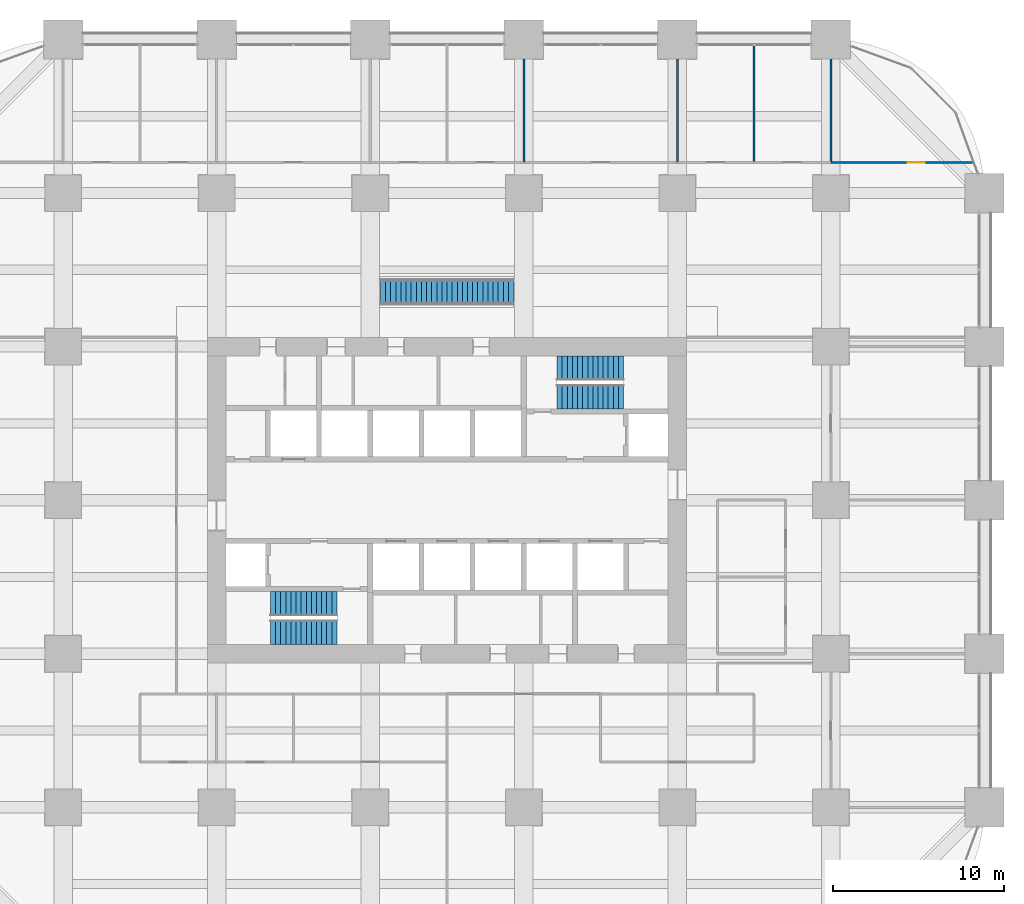
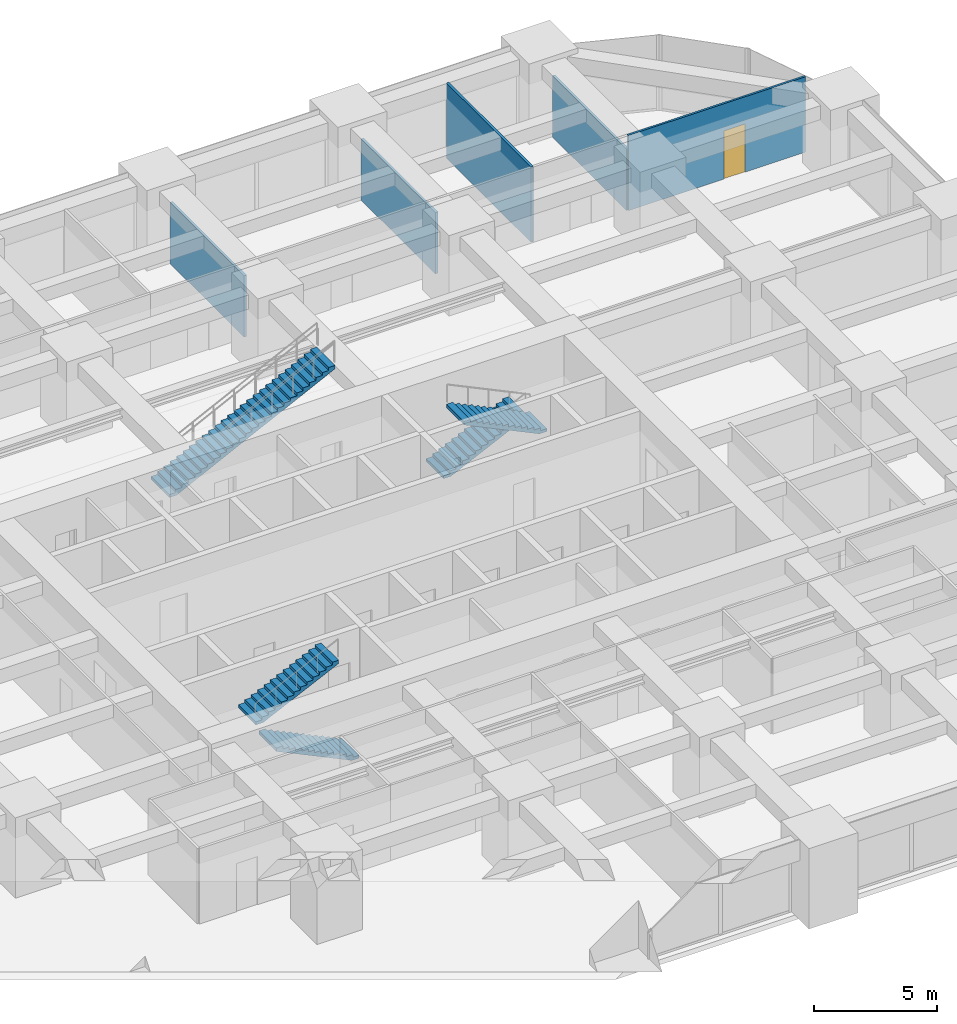
# One storey, part 42 of 44: 5 stair flights, 5 walls, 1 door, 1 opening, 3 elements without a shape of their own.
"""IFC4 building model written with IfcOpenShell, lengths in metres."""

import ifcopenshell
import ifcopenshell.guid

model = None  # the IFC model being written
_history = None  # IfcOwnerHistory: only IFC2X3 demands one
_inside = {}  # id of a spatial element -> (the spatial element, [elements in it])
_under = {}  # id of a project, library or spatial element -> (it, [spatial elements below it])
_declared = {}  # id of a project -> (the project, [libraries it declares])
_typed = {}  # id of a type object -> (the type object, [elements of that type])
_made_of = {}  # id of a material, layer set ... -> (it, [elements and type objects made of it])


def new_model(schema):
    """Start an empty IFC model of exactly this schema.

    Asked for "IFC4X3", IfcOpenShell would pick the latest addendum, in which some entities
    have other attributes; the version numbers below select the first issue.
    IFC2X3 requires an IfcOwnerHistory on every rooted entity: one is made here for all.
    """
    global model, _history
    if schema == "IFC4X3":
        model = ifcopenshell.file(schema_version=(4, 3, 0, 0))
    else:
        model = ifcopenshell.file(schema=schema)
    _inside.clear()
    _under.clear()
    _declared.clear()
    _typed.clear()
    _made_of.clear()
    _history = None
    if model.schema == "IFC2X3":
        org = make("IfcOrganization", Name="unknown")
        user = make(
            "IfcPersonAndOrganization",
            ThePerson=make("IfcPerson", FamilyName="unknown"),
            TheOrganization=org,
        )
        app = make(
            "IfcApplication",
            ApplicationDeveloper=org,
            Version="unknown",
            ApplicationFullName="unknown",
            ApplicationIdentifier="unknown",
        )
        _history = make(
            "IfcOwnerHistory",
            OwningUser=user,
            OwningApplication=app,
            ChangeAction="ADDED",
            CreationDate=0,
        )
    return model


def make(cls, **values):
    """One entity of the class cls with the attributes given. An attribute that is None is left unset."""
    return model.create_entity(
        cls, **{name: value for name, value in values.items() if value is not None}
    )


def rooted(cls, **values):
    """An entity with a GlobalId (a new one), such as an element, a storey or a relation."""
    return make(cls, GlobalId=ifcopenshell.guid.new(), OwnerHistory=_history, **values)


def si_unit(unit_type, name, prefix=None):
    """IfcSIUnit, for example si_unit("LENGTHUNIT", "METRE", prefix="MILLI")."""
    return make("IfcSIUnit", UnitType=unit_type, Prefix=prefix, Name=name)


def assignment(units):
    """IfcUnitAssignment: the units of a project."""
    return None if units is None else make("IfcUnitAssignment", Units=units)


def point(xyz):
    """IfcCartesianPoint."""
    return None if xyz is None else make("IfcCartesianPoint", Coordinates=xyz)


def direction(xyz):
    """IfcDirection."""
    return None if xyz is None else make("IfcDirection", DirectionRatios=xyz)


def frame(location, z_axis=None, x_axis=None):
    """IfcAxis2Placement3D, a coordinate frame: its origin and axes. An axis left out is left unset."""
    return make(
        "IfcAxis2Placement3D",
        Location=point(location),
        Axis=direction(z_axis),
        RefDirection=direction(x_axis),
    )


def frame_2d(location, x_axis=None):
    """IfcAxis2Placement2D, a coordinate frame in the plane: its origin and x axis."""
    return make(
        "IfcAxis2Placement2D", Location=point(location), RefDirection=direction(x_axis)
    )


def origin():
    """The frame at (0, 0, 0) with its axes left unset."""
    return frame((0.0, 0.0, 0.0))


def place(relative_to, where):
    """IfcLocalPlacement: puts the frame where relative to a parent placement (None: the world)."""
    return make(
        "IfcLocalPlacement", PlacementRelTo=relative_to, RelativePlacement=where
    )


def context(
    kind, dimensions, precision=None, world=None, true_north=None, identifier=None
):
    """IfcGeometricRepresentationContext, for example the 3D "Model" context."""
    return make(
        "IfcGeometricRepresentationContext",
        ContextIdentifier=identifier,
        ContextType=kind,
        CoordinateSpaceDimension=dimensions,
        Precision=precision,
        WorldCoordinateSystem=world,
        TrueNorth=true_north,
    )


def subcontext(parent, identifier, kind, view, scale=None):
    """IfcGeometricRepresentationSubContext, for example "Body" below "Model"."""
    return make(
        "IfcGeometricRepresentationSubContext",
        ContextIdentifier=identifier,
        ContextType=kind,
        ParentContext=parent,
        TargetScale=scale,
        TargetView=view,
    )


def project(units=None, contexts=None):
    """IfcProject with its units and contexts."""
    return rooted(
        "IfcProject",
        Name="project",
        RepresentationContexts=contexts,
        UnitsInContext=assignment(units),
    )


def spatial(cls, under=None, at=None, **own):
    """A site, building, storey or space (cls), placed at a placement, below another one or the project."""
    s = rooted(cls, ObjectPlacement=at, **own)
    if under is not None:
        _under.setdefault(under.id(), (under, []))[1].append(s)
    return s


def polyline(points):
    """IfcPolyline through the points."""
    return make("IfcPolyline", Points=[point(p) for p in points])


def profile(cls, at=None, kind="AREA", **sizes):
    """A parametric profile (cls). Its sizes go by their IFC names, for example OverallWidth=200.0."""
    return make(cls, ProfileType=kind, Position=at, **sizes)


def rectangle(**sizes):
    """IfcRectangleProfileDef."""
    return profile("IfcRectangleProfileDef", **sizes)


def outline(outer, holes=None, kind="AREA"):
    """IfcArbitraryClosedProfileDef: a profile drawn as a closed curve; with holes, ...WithVoids."""
    if holes is None:
        return make("IfcArbitraryClosedProfileDef", ProfileType=kind, OuterCurve=outer)
    return make(
        "IfcArbitraryProfileDefWithVoids",
        ProfileType=kind,
        OuterCurve=outer,
        InnerCurves=holes,
    )


def extrude(swept, where, along, depth):
    """IfcExtrudedAreaSolid: the profile swept, set in the frame where, extruded along a direction by depth."""
    return make(
        "IfcExtrudedAreaSolid",
        SweptArea=swept,
        Position=where,
        ExtrudedDirection=direction(along),
        Depth=depth,
    )


def shape(context_of_items, identifier, shape_type, items):
    """IfcShapeRepresentation: the items that make up one representation, for example the "Body"."""
    return make(
        "IfcShapeRepresentation",
        ContextOfItems=context_of_items,
        RepresentationIdentifier=identifier,
        RepresentationType=shape_type,
        Items=items,
    )


def material(Name=None, Category=None):
    """IfcMaterial."""
    return make("IfcMaterial", Name=Name, Category=Category)


def layer(
    of_material, thickness, ventilated=None, Name=None, Category=None, Priority=None
):
    """IfcMaterialLayer: one layer of a wall or slab, of a material (None: an air gap)."""
    return make(
        "IfcMaterialLayer",
        Material=of_material,
        LayerThickness=thickness,
        IsVentilated=ventilated,
        Name=Name,
        Category=Category,
        Priority=Priority,
    )


def layer_set(layers, Name=None):
    """IfcMaterialLayerSet."""
    return make("IfcMaterialLayerSet", MaterialLayers=layers, LayerSetName=Name)


def constituent(of_material, Name=None, Category=None, fraction=None):
    """IfcMaterialConstituent: one of the materials an element consists of."""
    return make(
        "IfcMaterialConstituent",
        Name=Name,
        Material=of_material,
        Fraction=fraction,
        Category=Category,
    )


def constituent_set(constituents=None, Name=None):
    """IfcMaterialConstituentSet."""
    return make(
        "IfcMaterialConstituentSet", Name=Name, MaterialConstituents=constituents
    )


def made_of(thing, what):
    """Note that an element or type object is made of a material, layer set ...; save() writes the relation."""
    if what is not None:
        _made_of.setdefault(what.id(), (what, []))[1].append(thing)
    return thing


def type_object(cls, material=None, **own):
    """A type object (cls), such as IfcWallType, which elements share."""
    return made_of(rooted(cls, **own), material)


def element(
    cls,
    number,
    at=None,
    inside=None,
    cuts=None,
    type_object=None,
    material=None,
    context=None,
    identifier="Body",
    shape_type=None,
    held_by="IfcProductDefinitionShape",
    body=None,
    shapes=None,
    **own,
):
    """One element of the class cls, such as IfcWall. Its Tag is "e" and its number.

    at: its placement. inside: the storey or other place that contains it. cuts: it is an
    opening in that element (IfcRelVoidsElement). A single representation is given by context,
    identifier, shape_type and body (its items); several are given by shapes. held_by: the class
    of the entity that holds the representations. save() writes the other relations.
    """
    e = rooted(cls, Tag="e%d" % number, ObjectPlacement=at, **own)
    if body is not None:
        shapes = [shape(context, identifier, shape_type, body)]
    if shapes is not None:
        e.Representation = make(held_by, Representations=shapes)
    if inside is not None:
        _inside.setdefault(inside.id(), (inside, []))[1].append(e)
    if cuts is not None:
        rooted(
            "IfcRelVoidsElement", RelatingBuildingElement=cuts, RelatedOpeningElement=e
        )
    if type_object is not None:
        _typed.setdefault(type_object.id(), (type_object, []))[1].append(e)
    return made_of(e, material)


def fill(opening, filler):
    """IfcRelFillsElement: the door or window that sits in an opening."""
    return rooted(
        "IfcRelFillsElement",
        RelatingOpeningElement=opening,
        RelatedBuildingElement=filler,
    )


def aggregate(whole, parts):
    """IfcRelAggregates: a whole, such as a stair, and the parts it consists of."""
    return rooted("IfcRelAggregates", RelatingObject=whole, RelatedObjects=parts)


def save(model, path):
    """Write the relations noted so far, then the file.

    IfcRelAggregates (storeys below a building ...), IfcRelContainedInSpatialStructure (elements
    in a storey), IfcRelDefinesByType, IfcRelAssociatesMaterial and IfcRelDeclares: one each for
    every whole, place, type object, material and project.
    """
    for whole, parts in _under.values():
        aggregate(whole, parts)
    for where, things in _inside.values():
        rooted(
            "IfcRelContainedInSpatialStructure",
            RelatedElements=things,
            RelatingStructure=where,
        )
    for kind, things in _typed.values():
        rooted("IfcRelDefinesByType", RelatedObjects=things, RelatingType=kind)
    for what, things in _made_of.values():
        rooted("IfcRelAssociatesMaterial", RelatedObjects=things, RelatingMaterial=what)
    for by, libraries in _declared.values():
        rooted("IfcRelDeclares", RelatingContext=by, RelatedDefinitions=libraries)
    model.write(path)


model = new_model("IFC4")

# Units and contexts
model_context = context("Model", 3, precision=1e-05, world=origin(), true_north=direction((0.0, 1.0)))
body_context = subcontext(model_context, "Body", "Model", "MODEL_VIEW")
ifc_project = project(units=[si_unit("LENGTHUNIT", "METRE"), si_unit("AREAUNIT", "SQUARE_METRE"), si_unit("VOLUMEUNIT", "CUBIC_METRE"), si_unit("PLANEANGLEUNIT", "RADIAN"), si_unit("MASSUNIT", "GRAM", prefix="KILO")], contexts=[model_context])

# Site, building, storey
site_placement = place(None, origin())
site = spatial("IfcSite", under=ifc_project, at=site_placement, CompositionType="ELEMENT")
building_placement = place(site_placement, origin())
building = spatial("IfcBuilding", under=site, at=building_placement, Name="Zorevar Civic Tower", CompositionType="ELEMENT")
storey_placement = place(building_placement, frame((0.0, 0.0, 59.800048828125)))
storey = spatial("IfcBuildingStorey", under=building, at=storey_placement, Name="L14", CompositionType="ELEMENT", Elevation=59.800048828125)

# Wall, opening, door
ifc_material_1 = material(Name="Laminated glass in black aluminium frame", Category="aluminium")
ifc_layer_1 = layer(ifc_material_1, 0.10009765625)
ifc_layer_set_1 = layer_set([ifc_layer_1], Name="Glazed partition 100")
wall_type_1 = type_object("IfcWallType", Name="Glazed partition 100", PredefinedType="PARTITIONING", material=ifc_layer_set_1)
wall_1_placement = place(storey_placement, frame((54.0, 46.800048828125, 0.0), z_axis=(0.0, 0.0, 1.0), x_axis=(1.0, 0.0, 0.0)))
wall_1 = element("IfcWall", 1, at=wall_1_placement, inside=storey, type_object=wall_type_1, Name="Glazed partition 100 L14", PredefinedType="PARTITIONING", context=body_context, shape_type="SweptSolid", body=[
    extrude(rectangle(XDim=8.350830078125, YDim=0.10009765625, at=frame_2d((4.17529296875, 0.0))), origin(), (0.0, 0.0, 1.0), 3.75),
])
opening_placement = place(wall_1_placement, frame((4.5, 0.0, 0.0)))
opening = element("IfcOpeningElement", 2, at=opening_placement, cuts=wall_1, Name="Opening L14.31", PredefinedType="OPENING", context=body_context, shape_type="SweptSolid", body=[
    extrude(rectangle(XDim=1.0, YDim=2.39990234375, at=frame_2d((0.5, 1.199951171875))), frame((0.0, 0.06005859375, 0.0), z_axis=(0.0, -1.0, 0.0), x_axis=(1.0, 0.0, 0.0)), (0.0, 0.0, 1.0), 0.1201171875),
])
ifc_material_2 = material(Name="Timber door set", Category="wood")
door_type = type_object("IfcDoorType", Name="Glazed door GD1 1000x2400", OperationType="SINGLE_SWING_LEFT", PredefinedType="DOOR", material=ifc_material_2)
door_placement = place(opening_placement, origin())
door = element("IfcDoor", 3, at=door_placement, inside=storey, type_object=door_type, Name="Door L14 D1", OperationType="SINGLE_SWING_RIGHT", OverallHeight=2.39990234375, OverallWidth=1.0, PredefinedType="DOOR", context=body_context, shape_type="SweptSolid", body=[
    extrude(rectangle(XDim=1.0, YDim=2.39990234375, at=frame_2d((0.5, 1.199951171875))), frame((0.0, 0.02001953125, 0.0), z_axis=(0.0, -1.0, 0.0), x_axis=(1.0, 0.0, 0.0)), (0.0, 0.0, 1.0), 0.0400390625),
])
fill(opening, door)

# Walls
ifc_material_3 = material(Name="Gypsum board on steel studs", Category="steel")
ifc_layer_2 = layer(ifc_material_3, 0.1201171875)
ifc_layer_set_2 = layer_set([ifc_layer_2], Name="Partition 120")
wall_type_2 = type_object("IfcWallType", Name="Partition 120", PredefinedType="PARTITIONING", material=ifc_layer_set_2)
for number, where, z_axis, x_axis, name in (
    (4, (36.0, 46.800048828125, 0.0), (0.0, 0.0, 1.0), (0.0, 1.0, 0.0), "Partition 120 L14"),
    (5, (45.0, 46.800048828125, 0.0), (0.0, 0.0, 1.0), (0.0, 1.0, 0.0), "Partition 120 L14"),
):
    element("IfcWall", number, at=place(storey_placement, frame(where, z_axis=z_axis, x_axis=x_axis)), inside=storey, type_object=wall_type_2, Name=name, PredefinedType="PARTITIONING", context=body_context, shape_type="SweptSolid", body=[
        extrude(rectangle(XDim=6.050048828125, YDim=0.1201171875, at=frame_2d((3.02490234375, 0.0))), origin(), (0.0, 0.0, 1.0), 3.050048828125),
    ])
wall_2_placement = place(storey_placement, frame((49.5, 46.800048828125, 0.0), z_axis=(0.0, 0.0, 1.0), x_axis=(0.0, 1.0, 0.0)))
element("IfcWall", 6, at=wall_2_placement, inside=storey, type_object=wall_type_2, Name="Partition 120 L14", PredefinedType="PARTITIONING", context=body_context, shape_type="SweptSolid", body=[
    extrude(rectangle(XDim=6.889892578125, YDim=0.1201171875, at=frame_2d((3.44482421875, 0.0))), origin(), (0.0, 0.0, 1.0), 3.75),
])
wall_3_placement = place(storey_placement, frame((54.0, 46.800048828125, 0.0), z_axis=(0.0, 0.0, 1.0), x_axis=(0.0, 1.0, 0.0)))
element("IfcWall", 7, at=wall_3_placement, inside=storey, type_object=wall_type_2, Name="Partition 120 L14", PredefinedType="PARTITIONING", context=body_context, shape_type="SweptSolid", body=[
    extrude(rectangle(XDim=6.050048828125, YDim=0.1201171875, at=frame_2d((3.02490234375, 0.0))), origin(), (0.0, 0.0, 1.0), 3.050048828125),
])

# Stair, stair flight
ifc_material_4 = material(Name="Steel S355", Category="steel")
ifc_constituent_1 = constituent(ifc_material_4, Name="Structure")
ifc_material_5 = material(Name="Stone treads", Category="masonry")
ifc_constituent_2 = constituent(ifc_material_5, Name="Finish")
ifc_constituent_set_1 = constituent_set(constituents=[ifc_constituent_1, ifc_constituent_2], Name="Steel S355")
stair_type_1 = type_object("IfcStairType", Name="Interconnecting stair IS1", PredefinedType="STRAIGHT_RUN_STAIR", material=ifc_constituent_set_1)
stair_1_placement = place(storey_placement, origin())
stair_1 = element("IfcStair", 8, at=stair_1_placement, inside=storey, type_object=stair_type_1, Name="Interconnecting stair IS1 L14 to L15", PredefinedType="STRAIGHT_RUN_STAIR")
ifc_material_6 = material(Name="Steel S355", Category="steel")
ifc_constituent_3 = constituent(ifc_material_6, Name="Structure")
ifc_material_7 = material(Name="Stone treads", Category="masonry")
ifc_constituent_4 = constituent(ifc_material_7, Name="Finish")
ifc_constituent_set_2 = constituent_set(constituents=[ifc_constituent_3, ifc_constituent_4], Name="Steel S355")
stair_flight_type_1 = type_object("IfcStairFlightType", Name="Interconnecting stair flight", PredefinedType="STRAIGHT", material=ifc_constituent_set_2)
stair_flight_1_placement = place(storey_placement, frame((27.60009765625, 39.199951171875, 0.0), z_axis=(0.0, 0.0, 1.0), x_axis=(1.0, 0.0, 0.0)))
stair_flight_1 = element("IfcStairFlight", 9, at=stair_flight_1_placement, type_object=stair_flight_type_1, Name="IS1 flight 1", NumberOfRisers=27, NumberOfTreads=26, PredefinedType="STRAIGHT", RiserHeight=0.148148148, TreadLength=0.3, context=body_context, shape_type="SweptSolid", body=[
    extrude(outline(polyline([(0.0, 0.0), (0.0, 0.148193359375), (0.300048828125, 0.148193359375), (0.300048828125, 0.29638671875), (0.60009765625, 0.29638671875), (0.60009765625, 0.4443359375), (0.89990234375, 0.4443359375), (0.89990234375, 0.592529296875), (1.199951171875, 0.592529296875), (1.199951171875, 0.74072265625), (1.5, 0.74072265625), (1.5, 0.888916015625), (1.800048828125, 0.888916015625), (1.800048828125, 1.037109375), (2.10009765625, 1.037109375), (2.10009765625, 1.185302734375), (2.39990234375, 1.185302734375), (2.39990234375, 1.333251953125), (2.699951171875, 1.333251953125), (2.699951171875, 1.4814453125), (3.0, 1.4814453125), (3.0, 1.629638671875), (3.300048828125, 1.629638671875), (3.300048828125, 1.77783203125), (3.60009765625, 1.77783203125), (3.60009765625, 1.926025390625), (3.89990234375, 1.926025390625), (3.89990234375, 2.073974609375), (4.199951171875, 2.073974609375), (4.199951171875, 2.22216796875), (4.5, 2.22216796875), (4.5, 2.370361328125), (4.800048828125, 2.370361328125), (4.800048828125, 2.5185546875), (5.10009765625, 2.5185546875), (5.10009765625, 2.666748046875), (5.39990234375, 2.666748046875), (5.39990234375, 2.814697265625), (5.699951171875, 2.814697265625), (5.699951171875, 2.962890625), (6.0, 2.962890625), (6.0, 3.111083984375), (6.300048828125, 3.111083984375), (6.300048828125, 3.25927734375), (6.60009765625, 3.25927734375), (6.60009765625, 3.407470703125), (6.89990234375, 3.407470703125), (6.89990234375, 3.5556640625), (7.199951171875, 3.5556640625), (7.199951171875, 3.70361328125), (7.5, 3.70361328125), (7.5, 3.851806640625), (7.800048828125, 3.851806640625), (7.800048828125, 4.0), (7.800048828125, 3.6845703125), (0.338623046875, 0.0), (0.0, 0.0)])), frame((0.0, 0.75, 0.0), z_axis=(0.0, -1.0, 0.0), x_axis=(1.0, 0.0, 0.0)), (0.0, 0.0, 1.0), 1.5),
])
aggregate(stair_1, [stair_flight_1])

# Stair, stair flights
ifc_material_8 = material(Name="Precast concrete C40/50", Category="concrete")
stair_type_2 = type_object("IfcStairType", Name="Stair ST 28R", PredefinedType="HALF_TURN_STAIR", material=ifc_material_8)
stair_2_placement = place(storey_placement, origin())
stair_2 = element("IfcStair", 10, at=stair_2_placement, inside=storey, type_object=stair_type_2, Name="Stair ST1 L14", PredefinedType="HALF_TURN_STAIR")
ifc_material_9 = material(Name="Precast concrete C40/50", Category="concrete")
stair_flight_type_2 = type_object("IfcStairFlightType", Name="Stair flight", PredefinedType="STRAIGHT", material=ifc_material_9)
stair_flight_2_placement = place(storey_placement, frame((25.050048828125, 19.262451171875, 0.0), z_axis=(0.0, 0.0, 1.0), x_axis=(-1.0, 0.0, 0.0)))
stair_flight_2 = element("IfcStairFlight", 11, at=stair_flight_2_placement, type_object=stair_flight_type_2, Name="ST1 flight 1", NumberOfRisers=14, NumberOfTreads=13, PredefinedType="STRAIGHT", RiserHeight=0.142857143, TreadLength=0.3, context=body_context, shape_type="SweptSolid", body=[
    extrude(outline(polyline([(0.0, 0.0), (0.0, 0.142822265625), (0.300048828125, 0.142822265625), (0.300048828125, 0.28564453125), (0.60009765625, 0.28564453125), (0.60009765625, 0.428466796875), (0.89990234375, 0.428466796875), (0.89990234375, 0.571533203125), (1.199951171875, 0.571533203125), (1.199951171875, 0.71435546875), (1.5, 0.71435546875), (1.5, 0.857177734375), (1.800048828125, 0.857177734375), (1.800048828125, 1.0), (2.10009765625, 1.0), (2.10009765625, 1.142822265625), (2.39990234375, 1.142822265625), (2.39990234375, 1.28564453125), (2.699951171875, 1.28564453125), (2.699951171875, 1.428466796875), (3.0, 1.428466796875), (3.0, 1.571533203125), (3.300048828125, 1.571533203125), (3.300048828125, 1.71435546875), (3.60009765625, 1.71435546875), (3.60009765625, 1.857177734375), (3.89990234375, 1.857177734375), (3.89990234375, 2.0), (3.89990234375, 1.691162109375), (0.3486328125, 0.0), (0.0, 0.0)])), frame((0.0, 0.71240234375, 0.0), z_axis=(0.0, -1.0, 0.0), x_axis=(1.0, 0.0, 0.0)), (0.0, 0.0, 1.0), 1.425048828125),
])
stair_flight_3_placement = place(storey_placement, frame((21.14990234375, 20.9375, 2.0), z_axis=(0.0, 0.0, 1.0), x_axis=(1.0, 0.0, 0.0)))
stair_flight_3 = element("IfcStairFlight", 12, at=stair_flight_3_placement, type_object=stair_flight_type_2, Name="ST1 flight 2", NumberOfRisers=14, NumberOfTreads=13, PredefinedType="STRAIGHT", RiserHeight=0.142857143, TreadLength=0.3, context=body_context, shape_type="SweptSolid", body=[
    extrude(outline(polyline([(0.0, 0.0), (0.0, 0.142822265625), (0.300048828125, 0.142822265625), (0.300048828125, 0.28564453125), (0.60009765625, 0.28564453125), (0.60009765625, 0.428466796875), (0.89990234375, 0.428466796875), (0.89990234375, 0.571533203125), (1.199951171875, 0.571533203125), (1.199951171875, 0.71435546875), (1.5, 0.71435546875), (1.5, 0.857177734375), (1.800048828125, 0.857177734375), (1.800048828125, 1.0), (2.10009765625, 1.0), (2.10009765625, 1.142822265625), (2.39990234375, 1.142822265625), (2.39990234375, 1.28564453125), (2.699951171875, 1.28564453125), (2.699951171875, 1.428466796875), (3.0, 1.428466796875), (3.0, 1.571533203125), (3.300048828125, 1.571533203125), (3.300048828125, 1.71435546875), (3.60009765625, 1.71435546875), (3.60009765625, 1.857177734375), (3.89990234375, 1.857177734375), (3.89990234375, 2.0), (3.89990234375, 1.691162109375), (0.3486328125, 0.0), (0.0, 0.0)])), frame((0.0, 0.71240234375, 0.0), z_axis=(0.0, -1.0, 0.0), x_axis=(1.0, 0.0, 0.0)), (0.0, 0.0, 1.0), 1.425048828125),
])
aggregate(stair_2, [stair_flight_2, stair_flight_3])

stair_3_placement = place(storey_placement, origin())
stair_3 = element("IfcStair", 13, at=stair_3_placement, inside=storey, type_object=stair_type_2, Name="Stair ST2 L14", PredefinedType="HALF_TURN_STAIR")
stair_flight_4_placement = place(storey_placement, frame((37.949951171875, 34.737548828125, 0.0), z_axis=(0.0, 0.0, 1.0), x_axis=(1.0, 0.0, 0.0)))
stair_flight_4 = element("IfcStairFlight", 14, at=stair_flight_4_placement, type_object=stair_flight_type_2, Name="ST2 flight 1", NumberOfRisers=14, NumberOfTreads=13, PredefinedType="STRAIGHT", RiserHeight=0.142857143, TreadLength=0.3, context=body_context, shape_type="SweptSolid", body=[
    extrude(outline(polyline([(0.0, 0.0), (0.0, 0.142822265625), (0.300048828125, 0.142822265625), (0.300048828125, 0.28564453125), (0.60009765625, 0.28564453125), (0.60009765625, 0.428466796875), (0.89990234375, 0.428466796875), (0.89990234375, 0.571533203125), (1.199951171875, 0.571533203125), (1.199951171875, 0.71435546875), (1.5, 0.71435546875), (1.5, 0.857177734375), (1.800048828125, 0.857177734375), (1.800048828125, 1.0), (2.10009765625, 1.0), (2.10009765625, 1.142822265625), (2.39990234375, 1.142822265625), (2.39990234375, 1.28564453125), (2.699951171875, 1.28564453125), (2.699951171875, 1.428466796875), (3.0, 1.428466796875), (3.0, 1.571533203125), (3.300048828125, 1.571533203125), (3.300048828125, 1.71435546875), (3.60009765625, 1.71435546875), (3.60009765625, 1.857177734375), (3.89990234375, 1.857177734375), (3.89990234375, 2.0), (3.89990234375, 1.691162109375), (0.3486328125, 0.0), (0.0, 0.0)])), frame((0.0, 0.71240234375, 0.0), z_axis=(0.0, -1.0, 0.0), x_axis=(1.0, 0.0, 0.0)), (0.0, 0.0, 1.0), 1.425048828125),
])
stair_flight_5_placement = place(storey_placement, frame((41.85009765625, 33.0625, 2.0), z_axis=(0.0, 0.0, 1.0), x_axis=(-1.0, 0.0, 0.0)))
stair_flight_5 = element("IfcStairFlight", 15, at=stair_flight_5_placement, type_object=stair_flight_type_2, Name="ST2 flight 2", NumberOfRisers=14, NumberOfTreads=13, PredefinedType="STRAIGHT", RiserHeight=0.142857143, TreadLength=0.3, context=body_context, shape_type="SweptSolid", body=[
    extrude(outline(polyline([(0.0, 0.0), (0.0, 0.142822265625), (0.300048828125, 0.142822265625), (0.300048828125, 0.28564453125), (0.60009765625, 0.28564453125), (0.60009765625, 0.428466796875), (0.89990234375, 0.428466796875), (0.89990234375, 0.571533203125), (1.199951171875, 0.571533203125), (1.199951171875, 0.71435546875), (1.5, 0.71435546875), (1.5, 0.857177734375), (1.800048828125, 0.857177734375), (1.800048828125, 1.0), (2.10009765625, 1.0), (2.10009765625, 1.142822265625), (2.39990234375, 1.142822265625), (2.39990234375, 1.28564453125), (2.699951171875, 1.28564453125), (2.699951171875, 1.428466796875), (3.0, 1.428466796875), (3.0, 1.571533203125), (3.300048828125, 1.571533203125), (3.300048828125, 1.71435546875), (3.60009765625, 1.71435546875), (3.60009765625, 1.857177734375), (3.89990234375, 1.857177734375), (3.89990234375, 2.0), (3.89990234375, 1.691162109375), (0.3486328125, 0.0), (0.0, 0.0)])), frame((0.0, 0.71240234375, 0.0), z_axis=(0.0, -1.0, 0.0), x_axis=(1.0, 0.0, 0.0)), (0.0, 0.0, 1.0), 1.425048828125),
])
aggregate(stair_3, [stair_flight_4, stair_flight_5])

save(model, "model.ifc")
